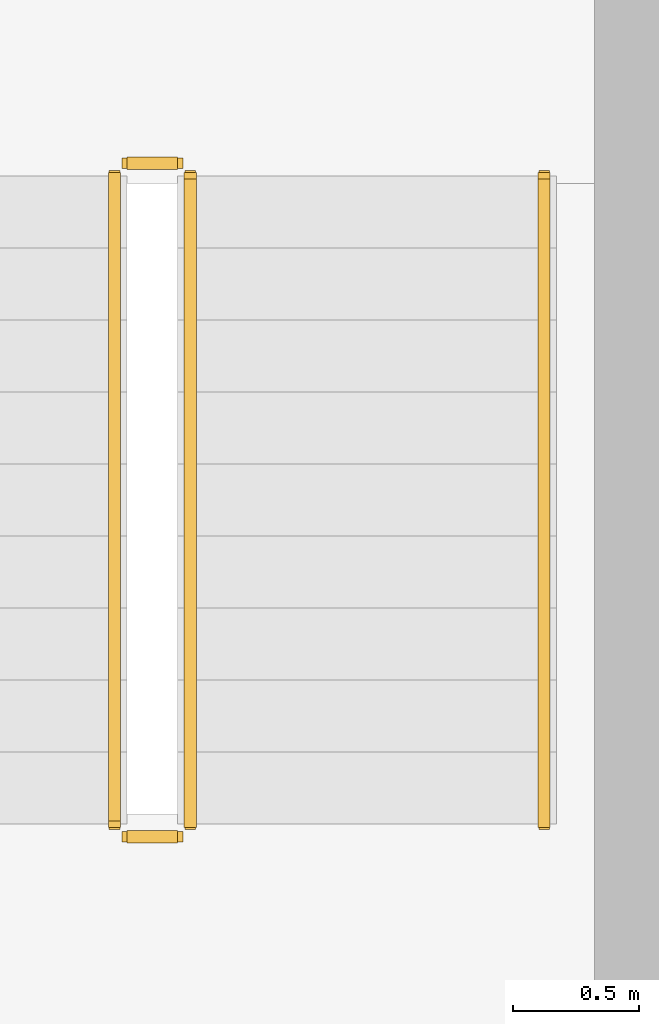
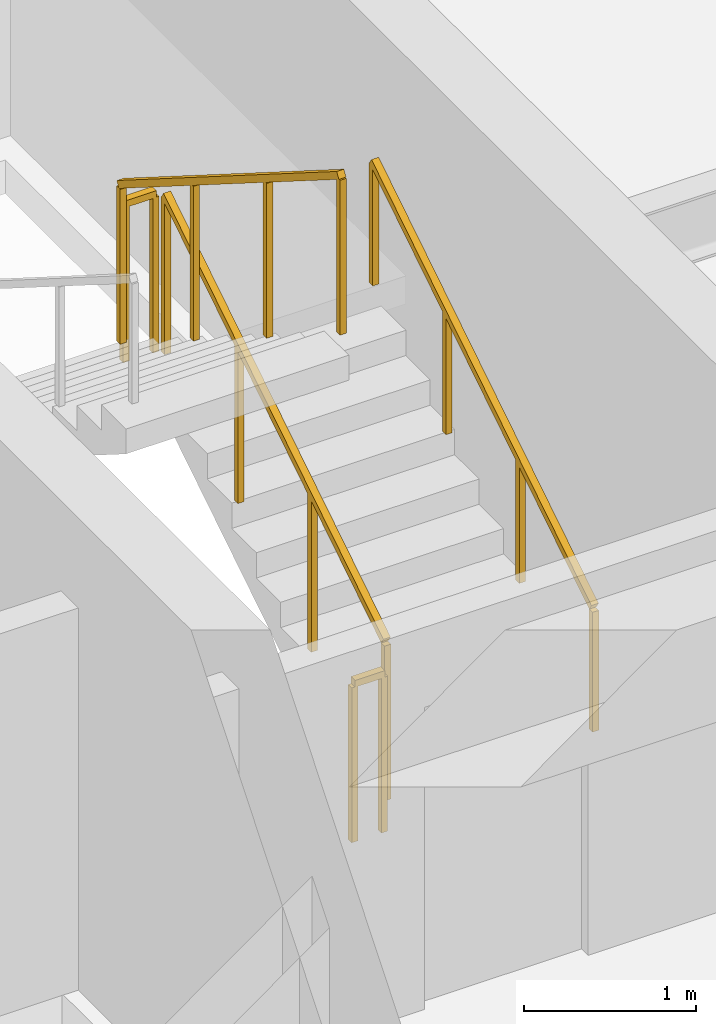
# One storey, part 23 of 23: 5 railings.
"""IFC4 building model written with IfcOpenShell, lengths in metres."""

from ifc_helpers import new_model, si_unit, direction, frame, origin, origin_2d, place, context, subcontext, project, spatial, rectangle, extrude, material, type_object, element, save


model = new_model("IFC4")

# Units and contexts
model_context = context("Model", 3, precision=1e-05, world=origin(), true_north=direction((0.0, 1.0)))
body_context = subcontext(model_context, "Body", "Model", "MODEL_VIEW")
ifc_project = project(units=[si_unit("LENGTHUNIT", "METRE"), si_unit("AREAUNIT", "SQUARE_METRE"), si_unit("VOLUMEUNIT", "CUBIC_METRE"), si_unit("PLANEANGLEUNIT", "RADIAN"), si_unit("MASSUNIT", "GRAM", prefix="KILO")], contexts=[model_context])

# Site, building, storey
site_placement = place(None, origin())
site = spatial("IfcSite", under=ifc_project, at=site_placement, CompositionType="ELEMENT")
building_placement = place(site_placement, origin())
building = spatial("IfcBuilding", under=site, at=building_placement, Name="Sarneth Arch Tower", CompositionType="ELEMENT")
storey_placement = place(building_placement, frame((0.0, 0.0, 220.800048828125)))
storey = spatial("IfcBuildingStorey", under=building, at=storey_placement, Name="L56", CompositionType="ELEMENT", Elevation=220.800048828125)

# Railings
ifc_material_1 = material(Name="Brushed Stainless Steel 304 tubular handrail", Category="steel")
railing_type_1 = type_object("IfcRailingType", Name="RAIL-HANDRAIL-900", PredefinedType="HANDRAIL", material=ifc_material_1)
railing_1_placement = place(storey_placement, frame((58.60009765625, 41.449951171875, 0.179931640625)))
element("IfcRailing", 1, at=railing_1_placement, inside=storey, type_object=railing_type_1, Name="L56 ST-2 stair handrail 1", PredefinedType="HANDRAIL", context=body_context, shape_type="SweptSolid", body=[
    extrude(rectangle(XDim=0.048095703125, YDim=0.048095703125, at=origin_2d()), frame((0.0, 0.0, 0.8759765625), z_axis=(0.0, 0.845465955043, 0.534029323973), x_axis=(-1.0, 0.0, 0.0)), (0.0, 0.0, 1.0), 3.03369140625),
    extrude(rectangle(XDim=0.0419921875, YDim=0.0419921875, at=origin_2d()), origin(), (0.0, 0.0, 1.0), 0.851806640625),
    extrude(rectangle(XDim=0.0419921875, YDim=0.0419921875, at=origin_2d()), frame((0.0, 0.85498046875, 0.5400390625)), (0.0, 0.0, 1.0), 0.851806640625),
    extrude(rectangle(XDim=0.0419921875, YDim=0.0419921875, at=origin_2d()), frame((0.0, 1.7099609375, 1.080078125)), (0.0, 0.0, 1.0), 0.851806640625),
    extrude(rectangle(XDim=0.0419921875, YDim=0.0419921875, at=origin_2d()), frame((0.0, 2.56494140625, 1.6201171875)), (0.0, 0.0, 1.0), 0.851806640625),
])
ifc_material_2 = material(Name="Painted Steel S275 stair well guard", Category="steel")
railing_type_2 = type_object("IfcRailingType", Name="RAIL-STAIR-GUARD", PredefinedType="GUARDRAIL", material=ifc_material_2)
railing_2_placement = place(storey_placement, frame((57.199951171875, 41.449951171875, 0.179931640625)))
element("IfcRailing", 2, at=railing_2_placement, inside=storey, type_object=railing_type_2, Name="L56 ST-2 stair guard 1", PredefinedType="GUARDRAIL", context=body_context, shape_type="SweptSolid", body=[
    extrude(rectangle(XDim=0.048095703125, YDim=0.048095703125, at=origin_2d()), frame((0.0, 0.0, 1.1259765625), z_axis=(0.0, 0.845465955043, 0.534029323973), x_axis=(-1.0, 0.0, 0.0)), (0.0, 0.0, 1.0), 3.03369140625),
    extrude(rectangle(XDim=0.0419921875, YDim=0.0419921875, at=origin_2d()), origin(), (0.0, 0.0, 1.0), 1.101806640625),
    extrude(rectangle(XDim=0.0419921875, YDim=0.0419921875, at=origin_2d()), frame((0.0, 0.85498046875, 0.5400390625)), (0.0, 0.0, 1.0), 1.101806640625),
    extrude(rectangle(XDim=0.0419921875, YDim=0.0419921875, at=origin_2d()), frame((0.0, 1.7099609375, 1.080078125)), (0.0, 0.0, 1.0), 1.101806640625),
    extrude(rectangle(XDim=0.0419921875, YDim=0.0419921875, at=origin_2d()), frame((0.0, 2.56494140625, 1.6201171875)), (0.0, 0.0, 1.0), 1.101806640625),
])
railing_3_placement = place(storey_placement, frame((57.14990234375, 44.06494140625, 1.800048828125)))
element("IfcRailing", 3, at=railing_3_placement, inside=storey, type_object=railing_type_2, Name="L56 ST-2 stair guard 2", PredefinedType="GUARDRAIL", context=body_context, shape_type="SweptSolid", body=[
    extrude(rectangle(XDim=0.048095703125, YDim=0.048095703125, at=origin_2d()), frame((0.0, 0.0, 1.1259765625), z_axis=(-1.0, 0.0, 0.0), x_axis=(0.0, -1.0, 0.0)), (0.0, 0.0, 1.0), 0.199951171875),
    extrude(rectangle(XDim=0.0419921875, YDim=0.0419921875, at=origin_2d()), origin(), (0.0, 0.0, 1.0), 1.101806640625),
    extrude(rectangle(XDim=0.0419921875, YDim=0.0419921875, at=origin_2d()), frame((-0.199951171875, 0.0, 0.0)), (0.0, 0.0, 1.0), 1.101806640625),
])
railing_4_placement = place(storey_placement, frame((56.89990234375, 44.014892578125, 1.97998046875)))
element("IfcRailing", 4, at=railing_4_placement, inside=storey, type_object=railing_type_2, Name="L56 ST-2 stair guard 3", PredefinedType="GUARDRAIL", context=body_context, shape_type="SweptSolid", body=[
    extrude(rectangle(XDim=0.048095703125, YDim=0.048095703125, at=origin_2d()), frame((0.0, 0.0, 1.1259765625), z_axis=(0.0, -0.845502289212, 0.533971796014), x_axis=(1.0, 0.0, 0.0)), (0.0, 0.0, 1.0), 3.03369140625),
    extrude(rectangle(XDim=0.0419921875, YDim=0.0419921875, at=origin_2d()), origin(), (0.0, 0.0, 1.0), 1.101806640625),
    extrude(rectangle(XDim=0.0419921875, YDim=0.0419921875, at=origin_2d()), frame((0.0, -0.85498046875, 0.5400390625)), (0.0, 0.0, 1.0), 1.101806640625),
    extrude(rectangle(XDim=0.0419921875, YDim=0.0419921875, at=origin_2d()), frame((0.0, -1.7099609375, 1.079833984375)), (0.0, 0.0, 1.0), 1.101806640625),
    extrude(rectangle(XDim=0.0419921875, YDim=0.0419921875, at=origin_2d()), frame((0.0, -2.56494140625, 1.619873046875)), (0.0, 0.0, 1.0), 1.101806640625),
])
railing_5_placement = place(storey_placement, frame((57.14990234375, 41.39990234375, 0.0)))
element("IfcRailing", 5, at=railing_5_placement, inside=storey, type_object=railing_type_2, Name="L56 ST-2 stair guard 4", PredefinedType="GUARDRAIL", context=body_context, shape_type="SweptSolid", body=[
    extrude(rectangle(XDim=0.048095703125, YDim=0.048095703125, at=origin_2d()), frame((0.0, 0.0, 1.1259765625), z_axis=(-1.0, 0.0, 0.0), x_axis=(0.0, -1.0, 0.0)), (0.0, 0.0, 1.0), 0.199951171875),
    extrude(rectangle(XDim=0.0419921875, YDim=0.0419921875, at=origin_2d()), origin(), (0.0, 0.0, 1.0), 1.101806640625),
    extrude(rectangle(XDim=0.0419921875, YDim=0.0419921875, at=origin_2d()), frame((-0.199951171875, 0.0, 0.0)), (0.0, 0.0, 1.0), 1.101806640625),
])

save(model, "model.ifc")
